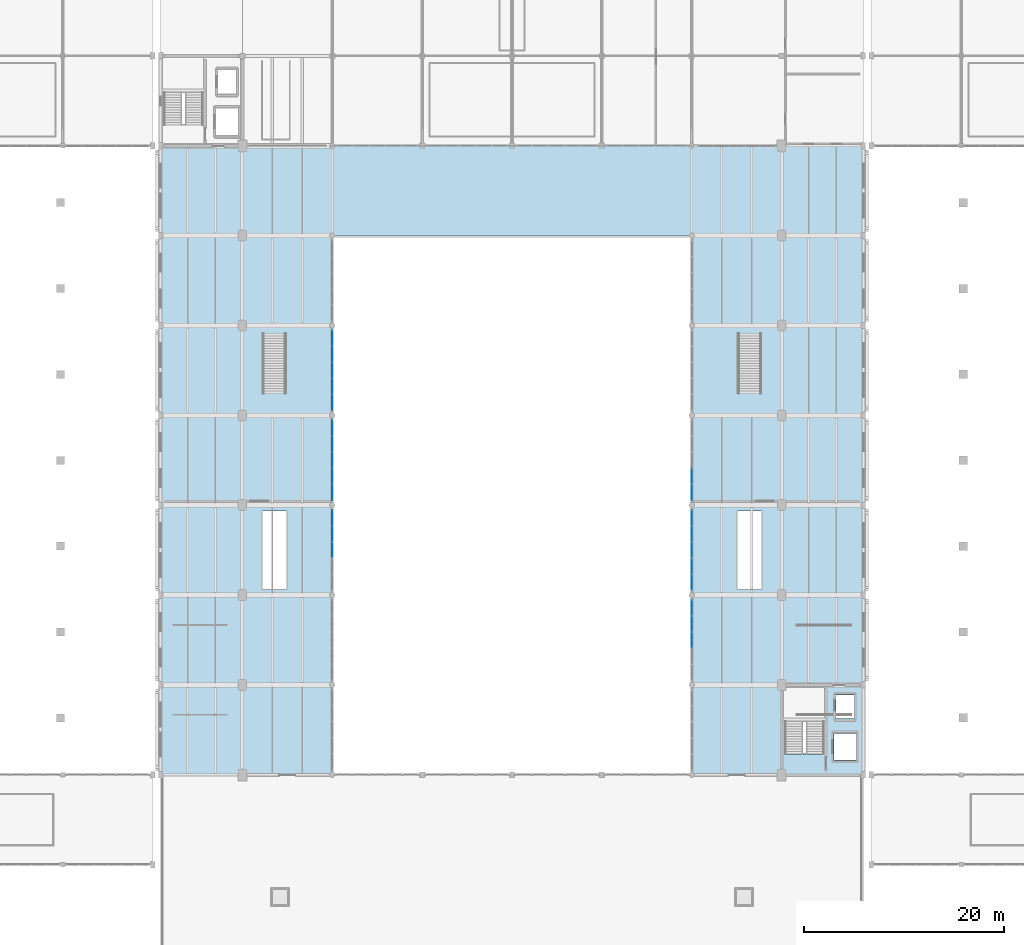
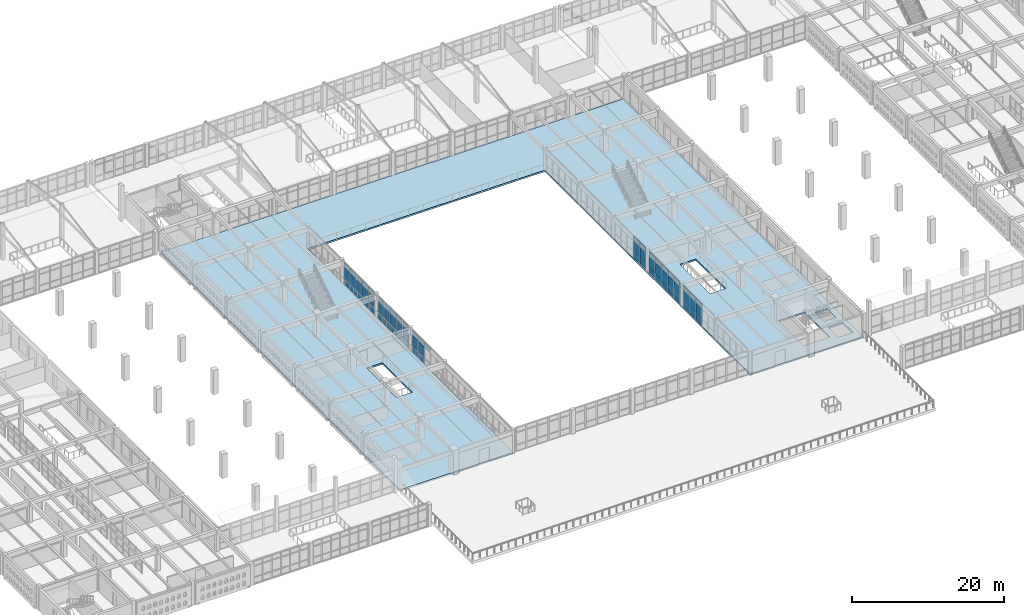
# One storey, part 111 of 156: 67 plates, 1 slab, 6 elements without a shape of their own.
"""IFC4 building model written with IfcOpenShell, lengths in metres."""

from ifc_helpers import new_model, si_unit, direction, frame, origin, origin_2d, place, context, subcontext, project, spatial, polyline, rectangle, outline, extrude, material, layer, layer_set, type_object, element, aggregate, save


model = new_model("IFC4")

# Units and contexts
model_context = context("Model", 3, precision=1e-05, world=origin(), true_north=direction((0.0, 1.0)))
body_context = subcontext(model_context, "Body", "Model", "MODEL_VIEW")
ifc_project = project(units=[si_unit("LENGTHUNIT", "METRE"), si_unit("AREAUNIT", "SQUARE_METRE"), si_unit("VOLUMEUNIT", "CUBIC_METRE"), si_unit("PLANEANGLEUNIT", "RADIAN"), si_unit("MASSUNIT", "GRAM", prefix="KILO")], contexts=[model_context])

# Site, building, storey
site_placement = place(None, origin())
site = spatial("IfcSite", under=ifc_project, at=site_placement, CompositionType="ELEMENT")
building_placement = place(site_placement, origin())
building = spatial("IfcBuilding", under=site, at=building_placement, Name="Ornek Quay Market", CompositionType="ELEMENT")
storey_placement = place(building_placement, frame((0.0, 0.0, 4.5)))
storey = spatial("IfcBuildingStorey", under=building, at=storey_placement, Name="L01", CompositionType="ELEMENT", Elevation=4.5)

# Curtain wall, plates
ifc_material_1 = material(Name="Anodised bronze aluminium and triple low-e glass", Category="aluminium")
ifc_layer_1 = layer(ifc_material_1, 0.139892578125, Name="Anodised bronze aluminium and triple low-e glass", Category="aluminium")
ifc_layer_set_1 = layer_set([ifc_layer_1], Name="Anodised bronze aluminium and triple low-e glass")
curtain_wall_type = type_object("IfcCurtainWallType", Name="CW-GALLERY-INT", PredefinedType="USERDEFINED", material=ifc_layer_set_1)
curtain_wall_1_placement = place(storey_placement, origin())
curtain_wall_1 = element("IfcCurtainWall", 1, at=curtain_wall_1_placement, inside=storey, type_object=curtain_wall_type, Name="Curtain wall CW-099", ObjectType="CURTAIN WALL", PredefinedType="USERDEFINED")
ifc_material_2 = material(Name="Toughened laminated acoustic glass", Category="glass")
ifc_layer_2 = layer(ifc_material_2, 0.01611328125, Name="Toughened laminated acoustic glass", Category="glass")
ifc_layer_set_2 = layer_set([ifc_layer_2], Name="Toughened laminated acoustic glass")
plate_type = type_object("IfcPlateType", Name="PL-CW-INT-16", PredefinedType="CURTAIN_PANEL", material=ifc_layer_set_2)
plate_1_placement = place(storey_placement, frame((72.0, 51.5, 2.83984375), z_axis=(0.0, 0.0, 1.0), x_axis=(0.0, 1.0, 0.0)))
plate_1 = element("IfcPlate", 2, at=plate_1_placement, type_object=plate_type, Name="CW-099 panel 3.3", PredefinedType="CURTAIN_PANEL", context=body_context, shape_type="SweptSolid", body=[
    extrude(rectangle(XDim=1.56005859375, YDim=0.01611328125, at=origin_2d()), origin(), (0.0, 0.0, 1.0), 0.760009765625),
])
plate_2_placement = place(storey_placement, frame((72.0, 53.1201171875, 0.06005859375), z_axis=(0.0, 0.0, 1.0), x_axis=(0.0, 1.0, 0.0)))
plate_2 = element("IfcPlate", 3, at=plate_2_placement, type_object=plate_type, Name="CW-099 panel 4.1", PredefinedType="CURTAIN_PANEL", context=body_context, shape_type="SweptSolid", body=[
    extrude(rectangle(XDim=1.56005859375, YDim=0.01611328125, at=origin_2d()), origin(), (0.0, 0.0, 1.0), 0.9599609375),
])
plate_3_placement = place(storey_placement, frame((72.0, 53.1201171875, 1.080078125), z_axis=(0.0, 0.0, 1.0), x_axis=(0.0, 1.0, 0.0)))
plate_3 = element("IfcPlate", 4, at=plate_3_placement, type_object=plate_type, Name="CW-099 panel 4.2", PredefinedType="CURTAIN_PANEL", context=body_context, shape_type="SweptSolid", body=[
    extrude(rectangle(XDim=1.56005859375, YDim=0.01611328125, at=origin_2d()), origin(), (0.0, 0.0, 1.0), 1.699951171875),
])
plate_4_placement = place(storey_placement, frame((72.0, 53.1201171875, 2.83984375), z_axis=(0.0, 0.0, 1.0), x_axis=(0.0, 1.0, 0.0)))
plate_4 = element("IfcPlate", 5, at=plate_4_placement, type_object=plate_type, Name="CW-099 panel 4.3", PredefinedType="CURTAIN_PANEL", context=body_context, shape_type="SweptSolid", body=[
    extrude(rectangle(XDim=1.56005859375, YDim=0.01611328125, at=origin_2d()), origin(), (0.0, 0.0, 1.0), 0.760009765625),
])
plate_5_placement = place(storey_placement, frame((72.0, 54.72509765625, 0.06005859375), z_axis=(0.0, 0.0, 1.0), x_axis=(0.0, 1.0, 0.0)))
plate_5 = element("IfcPlate", 6, at=plate_5_placement, type_object=plate_type, Name="CW-099 panel 5.1", PredefinedType="CURTAIN_PANEL", context=body_context, shape_type="SweptSolid", body=[
    extrude(rectangle(XDim=1.530029296875, YDim=0.01611328125, at=origin_2d()), origin(), (0.0, 0.0, 1.0), 0.9599609375),
])
plate_6_placement = place(storey_placement, frame((72.0, 54.72509765625, 1.080078125), z_axis=(0.0, 0.0, 1.0), x_axis=(0.0, 1.0, 0.0)))
plate_6 = element("IfcPlate", 7, at=plate_6_placement, type_object=plate_type, Name="CW-099 panel 5.2", PredefinedType="CURTAIN_PANEL", context=body_context, shape_type="SweptSolid", body=[
    extrude(rectangle(XDim=1.530029296875, YDim=0.01611328125, at=origin_2d()), origin(), (0.0, 0.0, 1.0), 1.699951171875),
])
plate_7_placement = place(storey_placement, frame((72.0, 54.72509765625, 2.83984375), z_axis=(0.0, 0.0, 1.0), x_axis=(0.0, 1.0, 0.0)))
plate_7 = element("IfcPlate", 8, at=plate_7_placement, type_object=plate_type, Name="CW-099 panel 5.3", PredefinedType="CURTAIN_PANEL", context=body_context, shape_type="SweptSolid", body=[
    extrude(rectangle(XDim=1.530029296875, YDim=0.01611328125, at=origin_2d()), origin(), (0.0, 0.0, 1.0), 0.760009765625),
])
aggregate(curtain_wall_1, [plate_1, plate_2, plate_3, plate_4, plate_5, plate_6, plate_7])

curtain_wall_2_placement = place(storey_placement, origin())
curtain_wall_2 = element("IfcCurtainWall", 9, at=curtain_wall_2_placement, inside=storey, type_object=curtain_wall_type, Name="Curtain wall CW-100", ObjectType="CURTAIN WALL", PredefinedType="USERDEFINED")
plate_8_placement = place(storey_placement, frame((72.0, 57.27490234375, 0.06005859375), z_axis=(0.0, 0.0, 1.0), x_axis=(0.0, 1.0, 0.0)))
plate_8 = element("IfcPlate", 10, at=plate_8_placement, type_object=plate_type, Name="CW-100 panel 1.1", PredefinedType="CURTAIN_PANEL", context=body_context, shape_type="SweptSolid", body=[
    extrude(rectangle(XDim=1.530029296875, YDim=0.01611328125, at=origin_2d()), origin(), (0.0, 0.0, 1.0), 0.9599609375),
])
plate_9_placement = place(storey_placement, frame((72.0, 57.27490234375, 1.080078125), z_axis=(0.0, 0.0, 1.0), x_axis=(0.0, 1.0, 0.0)))
plate_9 = element("IfcPlate", 11, at=plate_9_placement, type_object=plate_type, Name="CW-100 panel 1.2", PredefinedType="CURTAIN_PANEL", context=body_context, shape_type="SweptSolid", body=[
    extrude(rectangle(XDim=1.530029296875, YDim=0.01611328125, at=origin_2d()), origin(), (0.0, 0.0, 1.0), 1.699951171875),
])
plate_10_placement = place(storey_placement, frame((72.0, 57.27490234375, 2.83984375), z_axis=(0.0, 0.0, 1.0), x_axis=(0.0, 1.0, 0.0)))
plate_10 = element("IfcPlate", 12, at=plate_10_placement, type_object=plate_type, Name="CW-100 panel 1.3", PredefinedType="CURTAIN_PANEL", context=body_context, shape_type="SweptSolid", body=[
    extrude(rectangle(XDim=1.530029296875, YDim=0.01611328125, at=origin_2d()), origin(), (0.0, 0.0, 1.0), 0.760009765625),
])
plate_11_placement = place(storey_placement, frame((72.0, 58.8798828125, 0.06005859375), z_axis=(0.0, 0.0, 1.0), x_axis=(0.0, 1.0, 0.0)))
plate_11 = element("IfcPlate", 13, at=plate_11_placement, type_object=plate_type, Name="CW-100 panel 2.1", PredefinedType="CURTAIN_PANEL", context=body_context, shape_type="SweptSolid", body=[
    extrude(rectangle(XDim=1.56005859375, YDim=0.01611328125, at=origin_2d()), origin(), (0.0, 0.0, 1.0), 0.9599609375),
])
plate_12_placement = place(storey_placement, frame((72.0, 58.8798828125, 1.080078125), z_axis=(0.0, 0.0, 1.0), x_axis=(0.0, 1.0, 0.0)))
plate_12 = element("IfcPlate", 14, at=plate_12_placement, type_object=plate_type, Name="CW-100 panel 2.2", PredefinedType="CURTAIN_PANEL", context=body_context, shape_type="SweptSolid", body=[
    extrude(rectangle(XDim=1.56005859375, YDim=0.01611328125, at=origin_2d()), origin(), (0.0, 0.0, 1.0), 1.699951171875),
])
plate_13_placement = place(storey_placement, frame((72.0, 58.8798828125, 2.83984375), z_axis=(0.0, 0.0, 1.0), x_axis=(0.0, 1.0, 0.0)))
plate_13 = element("IfcPlate", 15, at=plate_13_placement, type_object=plate_type, Name="CW-100 panel 2.3", PredefinedType="CURTAIN_PANEL", context=body_context, shape_type="SweptSolid", body=[
    extrude(rectangle(XDim=1.56005859375, YDim=0.01611328125, at=origin_2d()), origin(), (0.0, 0.0, 1.0), 0.760009765625),
])
plate_14_placement = place(storey_placement, frame((72.0, 60.5, 0.06005859375), z_axis=(0.0, 0.0, 1.0), x_axis=(0.0, 1.0, 0.0)))
plate_14 = element("IfcPlate", 16, at=plate_14_placement, type_object=plate_type, Name="CW-100 panel 3.1", PredefinedType="CURTAIN_PANEL", context=body_context, shape_type="SweptSolid", body=[
    extrude(rectangle(XDim=1.56005859375, YDim=0.01611328125, at=origin_2d()), origin(), (0.0, 0.0, 1.0), 0.9599609375),
])
plate_15_placement = place(storey_placement, frame((72.0, 60.5, 1.080078125), z_axis=(0.0, 0.0, 1.0), x_axis=(0.0, 1.0, 0.0)))
plate_15 = element("IfcPlate", 17, at=plate_15_placement, type_object=plate_type, Name="CW-100 panel 3.2", PredefinedType="CURTAIN_PANEL", context=body_context, shape_type="SweptSolid", body=[
    extrude(rectangle(XDim=1.56005859375, YDim=0.01611328125, at=origin_2d()), origin(), (0.0, 0.0, 1.0), 1.699951171875),
])
plate_16_placement = place(storey_placement, frame((72.0, 60.5, 2.83984375), z_axis=(0.0, 0.0, 1.0), x_axis=(0.0, 1.0, 0.0)))
plate_16 = element("IfcPlate", 18, at=plate_16_placement, type_object=plate_type, Name="CW-100 panel 3.3", PredefinedType="CURTAIN_PANEL", context=body_context, shape_type="SweptSolid", body=[
    extrude(rectangle(XDim=1.56005859375, YDim=0.01611328125, at=origin_2d()), origin(), (0.0, 0.0, 1.0), 0.760009765625),
])
plate_17_placement = place(storey_placement, frame((72.0, 62.1201171875, 0.06005859375), z_axis=(0.0, 0.0, 1.0), x_axis=(0.0, 1.0, 0.0)))
plate_17 = element("IfcPlate", 19, at=plate_17_placement, type_object=plate_type, Name="CW-100 panel 4.1", PredefinedType="CURTAIN_PANEL", context=body_context, shape_type="SweptSolid", body=[
    extrude(rectangle(XDim=1.56005859375, YDim=0.01611328125, at=origin_2d()), origin(), (0.0, 0.0, 1.0), 0.9599609375),
])
plate_18_placement = place(storey_placement, frame((72.0, 62.1201171875, 1.080078125), z_axis=(0.0, 0.0, 1.0), x_axis=(0.0, 1.0, 0.0)))
plate_18 = element("IfcPlate", 20, at=plate_18_placement, type_object=plate_type, Name="CW-100 panel 4.2", PredefinedType="CURTAIN_PANEL", context=body_context, shape_type="SweptSolid", body=[
    extrude(rectangle(XDim=1.56005859375, YDim=0.01611328125, at=origin_2d()), origin(), (0.0, 0.0, 1.0), 1.699951171875),
])
plate_19_placement = place(storey_placement, frame((72.0, 62.1201171875, 2.83984375), z_axis=(0.0, 0.0, 1.0), x_axis=(0.0, 1.0, 0.0)))
plate_19 = element("IfcPlate", 21, at=plate_19_placement, type_object=plate_type, Name="CW-100 panel 4.3", PredefinedType="CURTAIN_PANEL", context=body_context, shape_type="SweptSolid", body=[
    extrude(rectangle(XDim=1.56005859375, YDim=0.01611328125, at=origin_2d()), origin(), (0.0, 0.0, 1.0), 0.760009765625),
])
plate_20_placement = place(storey_placement, frame((72.0, 63.72509765625, 0.06005859375), z_axis=(0.0, 0.0, 1.0), x_axis=(0.0, 1.0, 0.0)))
plate_20 = element("IfcPlate", 22, at=plate_20_placement, type_object=plate_type, Name="CW-100 panel 5.1", PredefinedType="CURTAIN_PANEL", context=body_context, shape_type="SweptSolid", body=[
    extrude(rectangle(XDim=1.530029296875, YDim=0.01611328125, at=origin_2d()), origin(), (0.0, 0.0, 1.0), 0.9599609375),
])
plate_21_placement = place(storey_placement, frame((72.0, 63.72509765625, 1.080078125), z_axis=(0.0, 0.0, 1.0), x_axis=(0.0, 1.0, 0.0)))
plate_21 = element("IfcPlate", 23, at=plate_21_placement, type_object=plate_type, Name="CW-100 panel 5.2", PredefinedType="CURTAIN_PANEL", context=body_context, shape_type="SweptSolid", body=[
    extrude(rectangle(XDim=1.530029296875, YDim=0.01611328125, at=origin_2d()), origin(), (0.0, 0.0, 1.0), 1.699951171875),
])
plate_22_placement = place(storey_placement, frame((72.0, 63.72509765625, 2.83984375), z_axis=(0.0, 0.0, 1.0), x_axis=(0.0, 1.0, 0.0)))
plate_22 = element("IfcPlate", 24, at=plate_22_placement, type_object=plate_type, Name="CW-100 panel 5.3", PredefinedType="CURTAIN_PANEL", context=body_context, shape_type="SweptSolid", body=[
    extrude(rectangle(XDim=1.530029296875, YDim=0.01611328125, at=origin_2d()), origin(), (0.0, 0.0, 1.0), 0.760009765625),
])
aggregate(curtain_wall_2, [plate_8, plate_9, plate_10, plate_11, plate_12, plate_13, plate_14, plate_15, plate_16, plate_17, plate_18, plate_19, plate_20, plate_21, plate_22])

curtain_wall_3_placement = place(storey_placement, origin())
curtain_wall_3 = element("IfcCurtainWall", 25, at=curtain_wall_3_placement, inside=storey, type_object=curtain_wall_type, Name="Curtain wall CW-101", ObjectType="CURTAIN WALL", PredefinedType="USERDEFINED")
plate_23_placement = place(storey_placement, frame((72.0, 66.27490234375, 0.06005859375), z_axis=(0.0, 0.0, 1.0), x_axis=(0.0, 1.0, 0.0)))
plate_23 = element("IfcPlate", 26, at=plate_23_placement, type_object=plate_type, Name="CW-101 panel 1.1", PredefinedType="CURTAIN_PANEL", context=body_context, shape_type="SweptSolid", body=[
    extrude(rectangle(XDim=1.530029296875, YDim=0.01611328125, at=origin_2d()), origin(), (0.0, 0.0, 1.0), 0.9599609375),
])
plate_24_placement = place(storey_placement, frame((72.0, 66.27490234375, 1.080078125), z_axis=(0.0, 0.0, 1.0), x_axis=(0.0, 1.0, 0.0)))
plate_24 = element("IfcPlate", 27, at=plate_24_placement, type_object=plate_type, Name="CW-101 panel 1.2", PredefinedType="CURTAIN_PANEL", context=body_context, shape_type="SweptSolid", body=[
    extrude(rectangle(XDim=1.530029296875, YDim=0.01611328125, at=origin_2d()), origin(), (0.0, 0.0, 1.0), 1.699951171875),
])
plate_25_placement = place(storey_placement, frame((72.0, 66.27490234375, 2.83984375), z_axis=(0.0, 0.0, 1.0), x_axis=(0.0, 1.0, 0.0)))
plate_25 = element("IfcPlate", 28, at=plate_25_placement, type_object=plate_type, Name="CW-101 panel 1.3", PredefinedType="CURTAIN_PANEL", context=body_context, shape_type="SweptSolid", body=[
    extrude(rectangle(XDim=1.530029296875, YDim=0.01611328125, at=origin_2d()), origin(), (0.0, 0.0, 1.0), 0.760009765625),
])
plate_26_placement = place(storey_placement, frame((72.0, 67.8798828125, 0.06005859375), z_axis=(0.0, 0.0, 1.0), x_axis=(0.0, 1.0, 0.0)))
plate_26 = element("IfcPlate", 29, at=plate_26_placement, type_object=plate_type, Name="CW-101 panel 2.1", PredefinedType="CURTAIN_PANEL", context=body_context, shape_type="SweptSolid", body=[
    extrude(rectangle(XDim=1.56005859375, YDim=0.01611328125, at=origin_2d()), origin(), (0.0, 0.0, 1.0), 0.9599609375),
])
plate_27_placement = place(storey_placement, frame((72.0, 67.8798828125, 1.080078125), z_axis=(0.0, 0.0, 1.0), x_axis=(0.0, 1.0, 0.0)))
plate_27 = element("IfcPlate", 30, at=plate_27_placement, type_object=plate_type, Name="CW-101 panel 2.2", PredefinedType="CURTAIN_PANEL", context=body_context, shape_type="SweptSolid", body=[
    extrude(rectangle(XDim=1.56005859375, YDim=0.01611328125, at=origin_2d()), origin(), (0.0, 0.0, 1.0), 1.699951171875),
])
plate_28_placement = place(storey_placement, frame((72.0, 67.8798828125, 2.83984375), z_axis=(0.0, 0.0, 1.0), x_axis=(0.0, 1.0, 0.0)))
plate_28 = element("IfcPlate", 31, at=plate_28_placement, type_object=plate_type, Name="CW-101 panel 2.3", PredefinedType="CURTAIN_PANEL", context=body_context, shape_type="SweptSolid", body=[
    extrude(rectangle(XDim=1.56005859375, YDim=0.01611328125, at=origin_2d()), origin(), (0.0, 0.0, 1.0), 0.760009765625),
])
plate_29_placement = place(storey_placement, frame((72.0, 69.5, 0.06005859375), z_axis=(0.0, 0.0, 1.0), x_axis=(0.0, 1.0, 0.0)))
plate_29 = element("IfcPlate", 32, at=plate_29_placement, type_object=plate_type, Name="CW-101 panel 3.1", PredefinedType="CURTAIN_PANEL", context=body_context, shape_type="SweptSolid", body=[
    extrude(rectangle(XDim=1.56005859375, YDim=0.01611328125, at=origin_2d()), origin(), (0.0, 0.0, 1.0), 0.9599609375),
])
plate_30_placement = place(storey_placement, frame((72.0, 69.5, 1.080078125), z_axis=(0.0, 0.0, 1.0), x_axis=(0.0, 1.0, 0.0)))
plate_30 = element("IfcPlate", 33, at=plate_30_placement, type_object=plate_type, Name="CW-101 panel 3.2", PredefinedType="CURTAIN_PANEL", context=body_context, shape_type="SweptSolid", body=[
    extrude(rectangle(XDim=1.56005859375, YDim=0.01611328125, at=origin_2d()), origin(), (0.0, 0.0, 1.0), 1.699951171875),
])
plate_31_placement = place(storey_placement, frame((72.0, 69.5, 2.83984375), z_axis=(0.0, 0.0, 1.0), x_axis=(0.0, 1.0, 0.0)))
plate_31 = element("IfcPlate", 34, at=plate_31_placement, type_object=plate_type, Name="CW-101 panel 3.3", PredefinedType="CURTAIN_PANEL", context=body_context, shape_type="SweptSolid", body=[
    extrude(rectangle(XDim=1.56005859375, YDim=0.01611328125, at=origin_2d()), origin(), (0.0, 0.0, 1.0), 0.760009765625),
])
plate_32_placement = place(storey_placement, frame((72.0, 71.1201171875, 0.06005859375), z_axis=(0.0, 0.0, 1.0), x_axis=(0.0, 1.0, 0.0)))
plate_32 = element("IfcPlate", 35, at=plate_32_placement, type_object=plate_type, Name="CW-101 panel 4.1", PredefinedType="CURTAIN_PANEL", context=body_context, shape_type="SweptSolid", body=[
    extrude(rectangle(XDim=1.56005859375, YDim=0.01611328125, at=origin_2d()), origin(), (0.0, 0.0, 1.0), 0.9599609375),
])
plate_33_placement = place(storey_placement, frame((72.0, 71.1201171875, 1.080078125), z_axis=(0.0, 0.0, 1.0), x_axis=(0.0, 1.0, 0.0)))
plate_33 = element("IfcPlate", 36, at=plate_33_placement, type_object=plate_type, Name="CW-101 panel 4.2", PredefinedType="CURTAIN_PANEL", context=body_context, shape_type="SweptSolid", body=[
    extrude(rectangle(XDim=1.56005859375, YDim=0.01611328125, at=origin_2d()), origin(), (0.0, 0.0, 1.0), 1.699951171875),
])
plate_34_placement = place(storey_placement, frame((72.0, 71.1201171875, 2.83984375), z_axis=(0.0, 0.0, 1.0), x_axis=(0.0, 1.0, 0.0)))
plate_34 = element("IfcPlate", 37, at=plate_34_placement, type_object=plate_type, Name="CW-101 panel 4.3", PredefinedType="CURTAIN_PANEL", context=body_context, shape_type="SweptSolid", body=[
    extrude(rectangle(XDim=1.56005859375, YDim=0.01611328125, at=origin_2d()), origin(), (0.0, 0.0, 1.0), 0.760009765625),
])
plate_35_placement = place(storey_placement, frame((72.0, 72.72509765625, 0.06005859375), z_axis=(0.0, 0.0, 1.0), x_axis=(0.0, 1.0, 0.0)))
plate_35 = element("IfcPlate", 38, at=plate_35_placement, type_object=plate_type, Name="CW-101 panel 5.1", PredefinedType="CURTAIN_PANEL", context=body_context, shape_type="SweptSolid", body=[
    extrude(rectangle(XDim=1.530029296875, YDim=0.01611328125, at=origin_2d()), origin(), (0.0, 0.0, 1.0), 0.9599609375),
])
plate_36_placement = place(storey_placement, frame((72.0, 72.72509765625, 1.080078125), z_axis=(0.0, 0.0, 1.0), x_axis=(0.0, 1.0, 0.0)))
plate_36 = element("IfcPlate", 39, at=plate_36_placement, type_object=plate_type, Name="CW-101 panel 5.2", PredefinedType="CURTAIN_PANEL", context=body_context, shape_type="SweptSolid", body=[
    extrude(rectangle(XDim=1.530029296875, YDim=0.01611328125, at=origin_2d()), origin(), (0.0, 0.0, 1.0), 1.699951171875),
])
plate_37_placement = place(storey_placement, frame((72.0, 72.72509765625, 2.83984375), z_axis=(0.0, 0.0, 1.0), x_axis=(0.0, 1.0, 0.0)))
plate_37 = element("IfcPlate", 40, at=plate_37_placement, type_object=plate_type, Name="CW-101 panel 5.3", PredefinedType="CURTAIN_PANEL", context=body_context, shape_type="SweptSolid", body=[
    extrude(rectangle(XDim=1.530029296875, YDim=0.01611328125, at=origin_2d()), origin(), (0.0, 0.0, 1.0), 0.760009765625),
])
aggregate(curtain_wall_3, [plate_23, plate_24, plate_25, plate_26, plate_27, plate_28, plate_29, plate_30, plate_31, plate_32, plate_33, plate_34, plate_35, plate_36, plate_37])

curtain_wall_4_placement = place(storey_placement, origin())
curtain_wall_4 = element("IfcCurtainWall", 41, at=curtain_wall_4_placement, inside=storey, type_object=curtain_wall_type, Name="Curtain wall CW-104", ObjectType="CURTAIN WALL", PredefinedType="USERDEFINED")
plate_38_placement = place(storey_placement, frame((108.0, 42.5, 0.06005859375), z_axis=(0.0, 0.0, 1.0), x_axis=(0.0, 1.0, 0.0)))
plate_38 = element("IfcPlate", 42, at=plate_38_placement, type_object=plate_type, Name="CW-104 panel 3.1", PredefinedType="CURTAIN_PANEL", context=body_context, shape_type="SweptSolid", body=[
    extrude(rectangle(XDim=1.56005859375, YDim=0.01611328125, at=origin_2d()), origin(), (0.0, 0.0, 1.0), 0.9599609375),
])
plate_39_placement = place(storey_placement, frame((108.0, 42.5, 1.080078125), z_axis=(0.0, 0.0, 1.0), x_axis=(0.0, 1.0, 0.0)))
plate_39 = element("IfcPlate", 43, at=plate_39_placement, type_object=plate_type, Name="CW-104 panel 3.2", PredefinedType="CURTAIN_PANEL", context=body_context, shape_type="SweptSolid", body=[
    extrude(rectangle(XDim=1.56005859375, YDim=0.01611328125, at=origin_2d()), origin(), (0.0, 0.0, 1.0), 1.699951171875),
])
plate_40_placement = place(storey_placement, frame((108.0, 42.5, 2.83984375), z_axis=(0.0, 0.0, 1.0), x_axis=(0.0, 1.0, 0.0)))
plate_40 = element("IfcPlate", 44, at=plate_40_placement, type_object=plate_type, Name="CW-104 panel 3.3", PredefinedType="CURTAIN_PANEL", context=body_context, shape_type="SweptSolid", body=[
    extrude(rectangle(XDim=1.56005859375, YDim=0.01611328125, at=origin_2d()), origin(), (0.0, 0.0, 1.0), 0.760009765625),
])
plate_41_placement = place(storey_placement, frame((108.0, 44.1201171875, 0.06005859375), z_axis=(0.0, 0.0, 1.0), x_axis=(0.0, 1.0, 0.0)))
plate_41 = element("IfcPlate", 45, at=plate_41_placement, type_object=plate_type, Name="CW-104 panel 4.1", PredefinedType="CURTAIN_PANEL", context=body_context, shape_type="SweptSolid", body=[
    extrude(rectangle(XDim=1.56005859375, YDim=0.01611328125, at=origin_2d()), origin(), (0.0, 0.0, 1.0), 0.9599609375),
])
plate_42_placement = place(storey_placement, frame((108.0, 44.1201171875, 1.080078125), z_axis=(0.0, 0.0, 1.0), x_axis=(0.0, 1.0, 0.0)))
plate_42 = element("IfcPlate", 46, at=plate_42_placement, type_object=plate_type, Name="CW-104 panel 4.2", PredefinedType="CURTAIN_PANEL", context=body_context, shape_type="SweptSolid", body=[
    extrude(rectangle(XDim=1.56005859375, YDim=0.01611328125, at=origin_2d()), origin(), (0.0, 0.0, 1.0), 1.699951171875),
])
plate_43_placement = place(storey_placement, frame((108.0, 44.1201171875, 2.83984375), z_axis=(0.0, 0.0, 1.0), x_axis=(0.0, 1.0, 0.0)))
plate_43 = element("IfcPlate", 47, at=plate_43_placement, type_object=plate_type, Name="CW-104 panel 4.3", PredefinedType="CURTAIN_PANEL", context=body_context, shape_type="SweptSolid", body=[
    extrude(rectangle(XDim=1.56005859375, YDim=0.01611328125, at=origin_2d()), origin(), (0.0, 0.0, 1.0), 0.760009765625),
])
plate_44_placement = place(storey_placement, frame((108.0, 45.72509765625, 0.06005859375), z_axis=(0.0, 0.0, 1.0), x_axis=(0.0, 1.0, 0.0)))
plate_44 = element("IfcPlate", 48, at=plate_44_placement, type_object=plate_type, Name="CW-104 panel 5.1", PredefinedType="CURTAIN_PANEL", context=body_context, shape_type="SweptSolid", body=[
    extrude(rectangle(XDim=1.530029296875, YDim=0.01611328125, at=origin_2d()), origin(), (0.0, 0.0, 1.0), 0.9599609375),
])
plate_45_placement = place(storey_placement, frame((108.0, 45.72509765625, 1.080078125), z_axis=(0.0, 0.0, 1.0), x_axis=(0.0, 1.0, 0.0)))
plate_45 = element("IfcPlate", 49, at=plate_45_placement, type_object=plate_type, Name="CW-104 panel 5.2", PredefinedType="CURTAIN_PANEL", context=body_context, shape_type="SweptSolid", body=[
    extrude(rectangle(XDim=1.530029296875, YDim=0.01611328125, at=origin_2d()), origin(), (0.0, 0.0, 1.0), 1.699951171875),
])
plate_46_placement = place(storey_placement, frame((108.0, 45.72509765625, 2.83984375), z_axis=(0.0, 0.0, 1.0), x_axis=(0.0, 1.0, 0.0)))
plate_46 = element("IfcPlate", 50, at=plate_46_placement, type_object=plate_type, Name="CW-104 panel 5.3", PredefinedType="CURTAIN_PANEL", context=body_context, shape_type="SweptSolid", body=[
    extrude(rectangle(XDim=1.530029296875, YDim=0.01611328125, at=origin_2d()), origin(), (0.0, 0.0, 1.0), 0.760009765625),
])
aggregate(curtain_wall_4, [plate_38, plate_39, plate_40, plate_41, plate_42, plate_43, plate_44, plate_45, plate_46])

curtain_wall_5_placement = place(storey_placement, origin())
curtain_wall_5 = element("IfcCurtainWall", 51, at=curtain_wall_5_placement, inside=storey, type_object=curtain_wall_type, Name="Curtain wall CW-105", ObjectType="CURTAIN WALL", PredefinedType="USERDEFINED")
plate_47_placement = place(storey_placement, frame((108.0, 48.27490234375, 0.06005859375), z_axis=(0.0, 0.0, 1.0), x_axis=(0.0, 1.0, 0.0)))
plate_47 = element("IfcPlate", 52, at=plate_47_placement, type_object=plate_type, Name="CW-105 panel 1.1", PredefinedType="CURTAIN_PANEL", context=body_context, shape_type="SweptSolid", body=[
    extrude(rectangle(XDim=1.530029296875, YDim=0.01611328125, at=origin_2d()), origin(), (0.0, 0.0, 1.0), 0.9599609375),
])
plate_48_placement = place(storey_placement, frame((108.0, 48.27490234375, 1.080078125), z_axis=(0.0, 0.0, 1.0), x_axis=(0.0, 1.0, 0.0)))
plate_48 = element("IfcPlate", 53, at=plate_48_placement, type_object=plate_type, Name="CW-105 panel 1.2", PredefinedType="CURTAIN_PANEL", context=body_context, shape_type="SweptSolid", body=[
    extrude(rectangle(XDim=1.530029296875, YDim=0.01611328125, at=origin_2d()), origin(), (0.0, 0.0, 1.0), 1.699951171875),
])
plate_49_placement = place(storey_placement, frame((108.0, 48.27490234375, 2.83984375), z_axis=(0.0, 0.0, 1.0), x_axis=(0.0, 1.0, 0.0)))
plate_49 = element("IfcPlate", 54, at=plate_49_placement, type_object=plate_type, Name="CW-105 panel 1.3", PredefinedType="CURTAIN_PANEL", context=body_context, shape_type="SweptSolid", body=[
    extrude(rectangle(XDim=1.530029296875, YDim=0.01611328125, at=origin_2d()), origin(), (0.0, 0.0, 1.0), 0.760009765625),
])
plate_50_placement = place(storey_placement, frame((108.0, 49.8798828125, 0.06005859375), z_axis=(0.0, 0.0, 1.0), x_axis=(0.0, 1.0, 0.0)))
plate_50 = element("IfcPlate", 55, at=plate_50_placement, type_object=plate_type, Name="CW-105 panel 2.1", PredefinedType="CURTAIN_PANEL", context=body_context, shape_type="SweptSolid", body=[
    extrude(rectangle(XDim=1.56005859375, YDim=0.01611328125, at=origin_2d()), origin(), (0.0, 0.0, 1.0), 0.9599609375),
])
plate_51_placement = place(storey_placement, frame((108.0, 49.8798828125, 1.080078125), z_axis=(0.0, 0.0, 1.0), x_axis=(0.0, 1.0, 0.0)))
plate_51 = element("IfcPlate", 56, at=plate_51_placement, type_object=plate_type, Name="CW-105 panel 2.2", PredefinedType="CURTAIN_PANEL", context=body_context, shape_type="SweptSolid", body=[
    extrude(rectangle(XDim=1.56005859375, YDim=0.01611328125, at=origin_2d()), origin(), (0.0, 0.0, 1.0), 1.699951171875),
])
plate_52_placement = place(storey_placement, frame((108.0, 49.8798828125, 2.83984375), z_axis=(0.0, 0.0, 1.0), x_axis=(0.0, 1.0, 0.0)))
plate_52 = element("IfcPlate", 57, at=plate_52_placement, type_object=plate_type, Name="CW-105 panel 2.3", PredefinedType="CURTAIN_PANEL", context=body_context, shape_type="SweptSolid", body=[
    extrude(rectangle(XDim=1.56005859375, YDim=0.01611328125, at=origin_2d()), origin(), (0.0, 0.0, 1.0), 0.760009765625),
])
plate_53_placement = place(storey_placement, frame((108.0, 51.5, 0.06005859375), z_axis=(0.0, 0.0, 1.0), x_axis=(0.0, 1.0, 0.0)))
plate_53 = element("IfcPlate", 58, at=plate_53_placement, type_object=plate_type, Name="CW-105 panel 3.1", PredefinedType="CURTAIN_PANEL", context=body_context, shape_type="SweptSolid", body=[
    extrude(rectangle(XDim=1.56005859375, YDim=0.01611328125, at=origin_2d()), origin(), (0.0, 0.0, 1.0), 0.9599609375),
])
plate_54_placement = place(storey_placement, frame((108.0, 51.5, 1.080078125), z_axis=(0.0, 0.0, 1.0), x_axis=(0.0, 1.0, 0.0)))
plate_54 = element("IfcPlate", 59, at=plate_54_placement, type_object=plate_type, Name="CW-105 panel 3.2", PredefinedType="CURTAIN_PANEL", context=body_context, shape_type="SweptSolid", body=[
    extrude(rectangle(XDim=1.56005859375, YDim=0.01611328125, at=origin_2d()), origin(), (0.0, 0.0, 1.0), 1.699951171875),
])
plate_55_placement = place(storey_placement, frame((108.0, 51.5, 2.83984375), z_axis=(0.0, 0.0, 1.0), x_axis=(0.0, 1.0, 0.0)))
plate_55 = element("IfcPlate", 60, at=plate_55_placement, type_object=plate_type, Name="CW-105 panel 3.3", PredefinedType="CURTAIN_PANEL", context=body_context, shape_type="SweptSolid", body=[
    extrude(rectangle(XDim=1.56005859375, YDim=0.01611328125, at=origin_2d()), origin(), (0.0, 0.0, 1.0), 0.760009765625),
])
plate_56_placement = place(storey_placement, frame((108.0, 53.1201171875, 0.06005859375), z_axis=(0.0, 0.0, 1.0), x_axis=(0.0, 1.0, 0.0)))
plate_56 = element("IfcPlate", 61, at=plate_56_placement, type_object=plate_type, Name="CW-105 panel 4.1", PredefinedType="CURTAIN_PANEL", context=body_context, shape_type="SweptSolid", body=[
    extrude(rectangle(XDim=1.56005859375, YDim=0.01611328125, at=origin_2d()), origin(), (0.0, 0.0, 1.0), 0.9599609375),
])
plate_57_placement = place(storey_placement, frame((108.0, 53.1201171875, 1.080078125), z_axis=(0.0, 0.0, 1.0), x_axis=(0.0, 1.0, 0.0)))
plate_57 = element("IfcPlate", 62, at=plate_57_placement, type_object=plate_type, Name="CW-105 panel 4.2", PredefinedType="CURTAIN_PANEL", context=body_context, shape_type="SweptSolid", body=[
    extrude(rectangle(XDim=1.56005859375, YDim=0.01611328125, at=origin_2d()), origin(), (0.0, 0.0, 1.0), 1.699951171875),
])
plate_58_placement = place(storey_placement, frame((108.0, 53.1201171875, 2.83984375), z_axis=(0.0, 0.0, 1.0), x_axis=(0.0, 1.0, 0.0)))
plate_58 = element("IfcPlate", 63, at=plate_58_placement, type_object=plate_type, Name="CW-105 panel 4.3", PredefinedType="CURTAIN_PANEL", context=body_context, shape_type="SweptSolid", body=[
    extrude(rectangle(XDim=1.56005859375, YDim=0.01611328125, at=origin_2d()), origin(), (0.0, 0.0, 1.0), 0.760009765625),
])
plate_59_placement = place(storey_placement, frame((108.0, 54.72509765625, 0.06005859375), z_axis=(0.0, 0.0, 1.0), x_axis=(0.0, 1.0, 0.0)))
plate_59 = element("IfcPlate", 64, at=plate_59_placement, type_object=plate_type, Name="CW-105 panel 5.1", PredefinedType="CURTAIN_PANEL", context=body_context, shape_type="SweptSolid", body=[
    extrude(rectangle(XDim=1.530029296875, YDim=0.01611328125, at=origin_2d()), origin(), (0.0, 0.0, 1.0), 0.9599609375),
])
plate_60_placement = place(storey_placement, frame((108.0, 54.72509765625, 1.080078125), z_axis=(0.0, 0.0, 1.0), x_axis=(0.0, 1.0, 0.0)))
plate_60 = element("IfcPlate", 65, at=plate_60_placement, type_object=plate_type, Name="CW-105 panel 5.2", PredefinedType="CURTAIN_PANEL", context=body_context, shape_type="SweptSolid", body=[
    extrude(rectangle(XDim=1.530029296875, YDim=0.01611328125, at=origin_2d()), origin(), (0.0, 0.0, 1.0), 1.699951171875),
])
plate_61_placement = place(storey_placement, frame((108.0, 54.72509765625, 2.83984375), z_axis=(0.0, 0.0, 1.0), x_axis=(0.0, 1.0, 0.0)))
plate_61 = element("IfcPlate", 66, at=plate_61_placement, type_object=plate_type, Name="CW-105 panel 5.3", PredefinedType="CURTAIN_PANEL", context=body_context, shape_type="SweptSolid", body=[
    extrude(rectangle(XDim=1.530029296875, YDim=0.01611328125, at=origin_2d()), origin(), (0.0, 0.0, 1.0), 0.760009765625),
])
aggregate(curtain_wall_5, [plate_47, plate_48, plate_49, plate_50, plate_51, plate_52, plate_53, plate_54, plate_55, plate_56, plate_57, plate_58, plate_59, plate_60, plate_61])

curtain_wall_6_placement = place(storey_placement, origin())
curtain_wall_6 = element("IfcCurtainWall", 67, at=curtain_wall_6_placement, inside=storey, type_object=curtain_wall_type, Name="Curtain wall CW-106", ObjectType="CURTAIN WALL", PredefinedType="USERDEFINED")
plate_62_placement = place(storey_placement, frame((108.0, 57.27490234375, 0.06005859375), z_axis=(0.0, 0.0, 1.0), x_axis=(0.0, 1.0, 0.0)))
plate_62 = element("IfcPlate", 68, at=plate_62_placement, type_object=plate_type, Name="CW-106 panel 1.1", PredefinedType="CURTAIN_PANEL", context=body_context, shape_type="SweptSolid", body=[
    extrude(rectangle(XDim=1.530029296875, YDim=0.01611328125, at=origin_2d()), origin(), (0.0, 0.0, 1.0), 0.9599609375),
])
plate_63_placement = place(storey_placement, frame((108.0, 57.27490234375, 1.080078125), z_axis=(0.0, 0.0, 1.0), x_axis=(0.0, 1.0, 0.0)))
plate_63 = element("IfcPlate", 69, at=plate_63_placement, type_object=plate_type, Name="CW-106 panel 1.2", PredefinedType="CURTAIN_PANEL", context=body_context, shape_type="SweptSolid", body=[
    extrude(rectangle(XDim=1.530029296875, YDim=0.01611328125, at=origin_2d()), origin(), (0.0, 0.0, 1.0), 1.699951171875),
])
plate_64_placement = place(storey_placement, frame((108.0, 57.27490234375, 2.83984375), z_axis=(0.0, 0.0, 1.0), x_axis=(0.0, 1.0, 0.0)))
plate_64 = element("IfcPlate", 70, at=plate_64_placement, type_object=plate_type, Name="CW-106 panel 1.3", PredefinedType="CURTAIN_PANEL", context=body_context, shape_type="SweptSolid", body=[
    extrude(rectangle(XDim=1.530029296875, YDim=0.01611328125, at=origin_2d()), origin(), (0.0, 0.0, 1.0), 0.760009765625),
])
plate_65_placement = place(storey_placement, frame((108.0, 58.8798828125, 0.06005859375), z_axis=(0.0, 0.0, 1.0), x_axis=(0.0, 1.0, 0.0)))
plate_65 = element("IfcPlate", 71, at=plate_65_placement, type_object=plate_type, Name="CW-106 panel 2.1", PredefinedType="CURTAIN_PANEL", context=body_context, shape_type="SweptSolid", body=[
    extrude(rectangle(XDim=1.56005859375, YDim=0.01611328125, at=origin_2d()), origin(), (0.0, 0.0, 1.0), 0.9599609375),
])
plate_66_placement = place(storey_placement, frame((108.0, 58.8798828125, 1.080078125), z_axis=(0.0, 0.0, 1.0), x_axis=(0.0, 1.0, 0.0)))
plate_66 = element("IfcPlate", 72, at=plate_66_placement, type_object=plate_type, Name="CW-106 panel 2.2", PredefinedType="CURTAIN_PANEL", context=body_context, shape_type="SweptSolid", body=[
    extrude(rectangle(XDim=1.56005859375, YDim=0.01611328125, at=origin_2d()), origin(), (0.0, 0.0, 1.0), 1.699951171875),
])
plate_67_placement = place(storey_placement, frame((108.0, 58.8798828125, 2.83984375), z_axis=(0.0, 0.0, 1.0), x_axis=(0.0, 1.0, 0.0)))
plate_67 = element("IfcPlate", 73, at=plate_67_placement, type_object=plate_type, Name="CW-106 panel 2.3", PredefinedType="CURTAIN_PANEL", context=body_context, shape_type="SweptSolid", body=[
    extrude(rectangle(XDim=1.56005859375, YDim=0.01611328125, at=origin_2d()), origin(), (0.0, 0.0, 1.0), 0.760009765625),
])
aggregate(curtain_wall_6, [plate_62, plate_63, plate_64, plate_65, plate_66, plate_67])

# Slab
ifc_material_3 = material(Name="Concrete C40/50", Category="concrete")
ifc_layer_3 = layer(ifc_material_3, 0.260009765625, Name="Concrete C40/50", Category="concrete")
ifc_layer_set_3 = layer_set([ifc_layer_3], Name="Concrete C40/50")
slab_type = type_object("IfcSlabType", Name="SL-FLR-GAL1-260", PredefinedType="FLOOR", material=ifc_layer_set_3)
slab_placement = place(storey_placement, frame((0.0, 0.0, -0.260009765625)))
element("IfcSlab", 74, at=slab_placement, inside=storey, type_object=slab_type, Name="Slab S-032 (L01)", PredefinedType="FLOOR", context=body_context, shape_type="SweptSolid", body=[
    extrude(outline(polyline([(54.800048828125, 29.0), (72.0, 29.0), (72.0, 83.0), (108.0, 83.0), (108.0, 29.0), (125.199951171875, 29.0), (125.199951171875, 92.0), (54.800048828125, 92.0), (54.800048828125, 29.0)]), holes=[polyline([(124.469970703125, 30.47998046875), (122.22998046875, 30.47998046875), (122.22998046875, 33.1201171875), (124.469970703125, 33.1201171875), (124.469970703125, 30.47998046875)]), polyline([(121.300048828125, 31.10009765625), (117.300048828125, 31.10009765625), (117.300048828125, 37.699951171875), (121.300048828125, 37.699951171875), (121.300048828125, 31.10009765625)]), polyline([(124.27001953125, 34.6298828125), (122.429931640625, 34.6298828125), (122.429931640625, 36.969970703125), (124.27001953125, 36.969970703125), (124.27001953125, 34.6298828125)]), polyline([(65.0, 47.60009765625), (65.0, 55.39990234375), (67.39990234375, 55.39990234375), (67.39990234375, 47.60009765625), (65.0, 47.60009765625)]), polyline([(112.60009765625, 47.60009765625), (112.60009765625, 55.39990234375), (115.0, 55.39990234375), (115.0, 47.60009765625), (112.60009765625, 47.60009765625)])]), origin(), (0.0, 0.0, 1.0), 0.260009765625),
])

save(model, "model.ifc")
